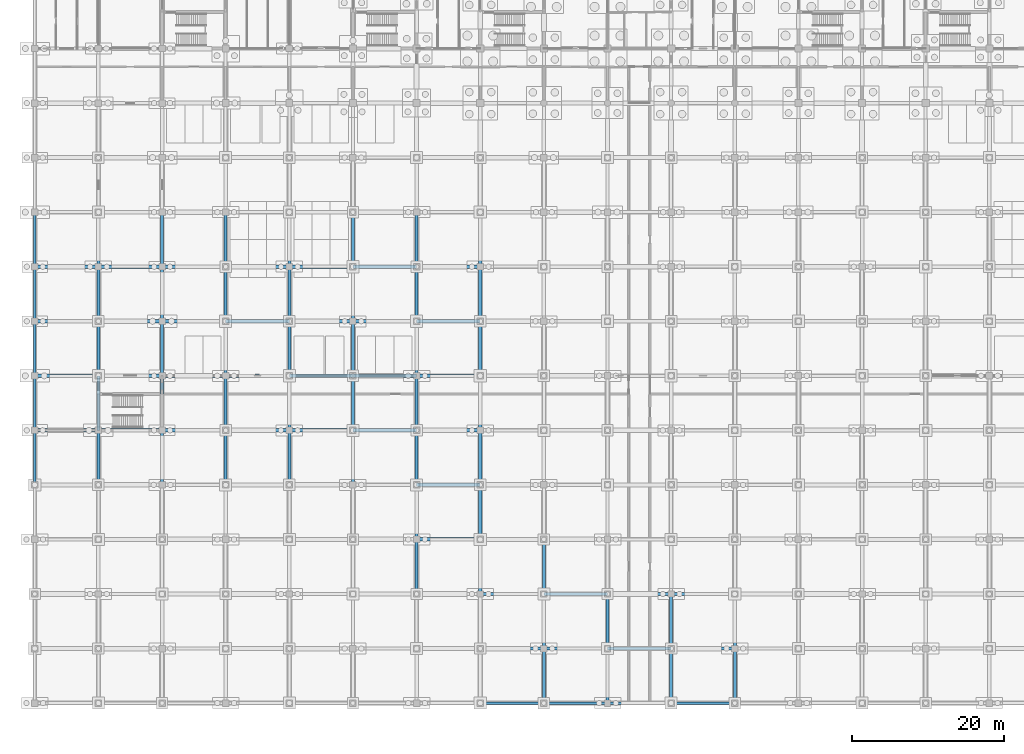
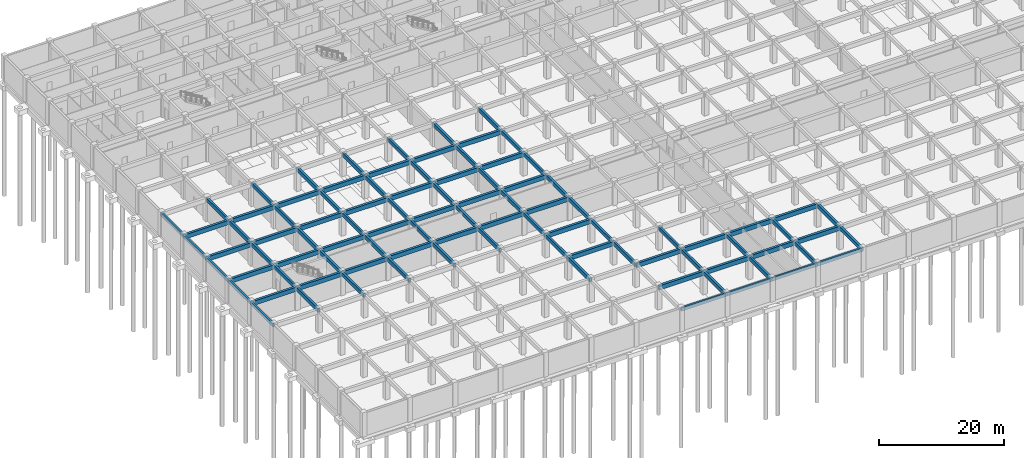
# One storey, part 19 of 85: 95 beams.
"""IFC4 building model written with IfcOpenShell, lengths in metres."""

from ifc_helpers import new_model, si_unit, direction, frame, origin, origin_2d, place, context, subcontext, project, spatial, rectangle, extrude, material, material_profile, profile_set, type_object, element, save


model = new_model("IFC4")

# Units and contexts
model_context = context("Model", 3, precision=1e-05, world=origin(), true_north=direction((0.0, 1.0)))
body_context = subcontext(model_context, "Body", "Model", "MODEL_VIEW")
ifc_project = project(units=[si_unit("LENGTHUNIT", "METRE"), si_unit("AREAUNIT", "SQUARE_METRE"), si_unit("VOLUMEUNIT", "CUBIC_METRE"), si_unit("PLANEANGLEUNIT", "RADIAN"), si_unit("MASSUNIT", "GRAM", prefix="KILO")], contexts=[model_context])

# Site, building, storey
site_placement = place(None, origin())
site = spatial("IfcSite", under=ifc_project, at=site_placement, CompositionType="ELEMENT")
building_placement = place(site_placement, origin())
building = spatial("IfcBuilding", under=site, at=building_placement, Name="Chengyuan Square Courthouse", CompositionType="ELEMENT")
storey_placement = place(building_placement, frame((0.0, 0.0, -10.199951171875)))
storey = spatial("IfcBuildingStorey", under=building, at=storey_placement, Name="B02", CompositionType="ELEMENT", Elevation=-10.199951171875)

# Beams
ifc_material = material(Name="Concrete C40", Category="concrete")
ifc_material_profile_1 = material_profile(ifc_material, rectangle(XDim=0.449951171875, YDim=0.85009765625, at=origin_2d()), Name="RC-BM-450x850")
ifc_profile_set_1 = profile_set([ifc_material_profile_1], Name="Concrete C40")
beam_type_1 = type_object("IfcBeamType", Name="BM-01", PredefinedType="USERDEFINED", material=ifc_profile_set_1)
beam_1_placement = place(storey_placement, frame((58.800048828125, 7.199951171875, 4.054931640625), z_axis=(1.0, 0.0, 0.0), x_axis=(0.0, 1.0, 0.0)))
element("IfcBeam", 1, at=beam_1_placement, inside=storey, type_object=beam_type_1, Name="Girder BM-B02-0028", ObjectType="GIRDER", PredefinedType="USERDEFINED", context=body_context, shape_type="SweptSolid", body=[
    extrude(rectangle(XDim=0.449951171875, YDim=0.85009765625, at=origin_2d()), origin(), (0.0, 0.0, 1.0), 8.39990234375),
])
beam_2_placement = place(storey_placement, frame((67.199951171875, 7.199951171875, 4.054931640625), z_axis=(1.0, 0.0, 0.0), x_axis=(0.0, 1.0, 0.0)))
element("IfcBeam", 2, at=beam_2_placement, inside=storey, type_object=beam_type_1, Name="Girder BM-B02-0029", ObjectType="GIRDER", PredefinedType="USERDEFINED", context=body_context, shape_type="SweptSolid", body=[
    extrude(rectangle(XDim=0.449951171875, YDim=0.85009765625, at=origin_2d()), origin(), (0.0, 0.0, 1.0), 8.400146484375),
])
for number, where, z_axis, x_axis, name in (
    (3, (75.60009765625, 7.199951171875, 4.054931640625), (1.0, 0.0, 0.0), (0.0, 1.0, 0.0), "Girder BM-B02-0030"),
    (4, (84.0, 7.199951171875, 4.054931640625), (1.0, 0.0, 0.0), (0.0, 1.0, 0.0), "Girder BM-B02-0031"),
    (5, (58.800048828125, 14.39990234375, 4.054931640625), (1.0, 0.0, 0.0), (0.0, 1.0, 0.0), "Girder BM-B02-0048"),
):
    element("IfcBeam", number, at=place(storey_placement, frame(where, z_axis=z_axis, x_axis=x_axis)), inside=storey, type_object=beam_type_1, Name=name, ObjectType="GIRDER", PredefinedType="USERDEFINED", context=body_context, shape_type="SweptSolid", body=[
        extrude(rectangle(XDim=0.449951171875, YDim=0.85009765625, at=origin_2d()), origin(), (0.0, 0.0, 1.0), 8.39990234375),
    ])
beam_3_placement = place(storey_placement, frame((67.199951171875, 14.39990234375, 4.054931640625), z_axis=(1.0, 0.0, 0.0), x_axis=(0.0, 1.0, 0.0)))
element("IfcBeam", 6, at=beam_3_placement, inside=storey, type_object=beam_type_1, Name="Girder BM-B02-0049", ObjectType="GIRDER", PredefinedType="USERDEFINED", context=body_context, shape_type="SweptSolid", body=[
    extrude(rectangle(XDim=0.449951171875, YDim=0.85009765625, at=origin_2d()), origin(), (0.0, 0.0, 1.0), 8.400146484375),
])
for number, where, z_axis, x_axis, name in (
    (7, (75.60009765625, 14.39990234375, 4.054931640625), (1.0, 0.0, 0.0), (0.0, 1.0, 0.0), "Girder BM-B02-0050"),
    (8, (84.0, 14.39990234375, 4.054931640625), (1.0, 0.0, 0.0), (0.0, 1.0, 0.0), "Girder BM-B02-0051"),
):
    element("IfcBeam", number, at=place(storey_placement, frame(where, z_axis=z_axis, x_axis=x_axis)), inside=storey, type_object=beam_type_1, Name=name, ObjectType="GIRDER", PredefinedType="USERDEFINED", context=body_context, shape_type="SweptSolid", body=[
        extrude(rectangle(XDim=0.449951171875, YDim=0.85009765625, at=origin_2d()), origin(), (0.0, 0.0, 1.0), 8.39990234375),
    ])
for number, where, z_axis, x_axis, name in (
    (9, (50.39990234375, 21.60009765625, 4.054931640625), (1.0, 0.0, 0.0), (0.0, 1.0, 0.0), "Girder BM-B02-0067"),
    (10, (50.39990234375, 28.800048828125, 4.054931640625), (1.0, 0.0, 0.0), (0.0, 1.0, 0.0), "Girder BM-B02-0087"),
):
    element("IfcBeam", number, at=place(storey_placement, frame(where, z_axis=z_axis, x_axis=x_axis)), inside=storey, type_object=beam_type_1, Name=name, ObjectType="GIRDER", PredefinedType="USERDEFINED", context=body_context, shape_type="SweptSolid", body=[
        extrude(rectangle(XDim=0.449951171875, YDim=0.85009765625, at=origin_2d()), origin(), (0.0, 0.0, 1.0), 8.400146484375),
    ])
beam_4_placement = place(storey_placement, frame((0.0, 36.0, 4.054931640625), z_axis=(1.0, 0.0, 0.0), x_axis=(0.0, 1.0, 0.0)))
element("IfcBeam", 11, at=beam_4_placement, inside=storey, type_object=beam_type_1, Name="Girder BM-B02-0101", ObjectType="GIRDER", PredefinedType="USERDEFINED", context=body_context, shape_type="SweptSolid", body=[
    extrude(rectangle(XDim=0.449951171875, YDim=0.85009765625, at=origin_2d()), origin(), (0.0, 0.0, 1.0), 8.39990234375),
])
beam_5_placement = place(storey_placement, frame((8.39990234375, 36.0, 4.054931640625), z_axis=(1.0, 0.0, 0.0), x_axis=(0.0, 1.0, 0.0)))
element("IfcBeam", 12, at=beam_5_placement, inside=storey, type_object=beam_type_1, Name="Girder BM-B02-0102", ObjectType="GIRDER", PredefinedType="USERDEFINED", context=body_context, shape_type="SweptSolid", body=[
    extrude(rectangle(XDim=0.449951171875, YDim=0.85009765625, at=origin_2d()), origin(), (0.0, 0.0, 1.0), 8.400146484375),
])
beam_6_placement = place(storey_placement, frame((16.800048828125, 36.0, 4.054931640625), z_axis=(1.0, 0.0, 0.0), x_axis=(0.0, 1.0, 0.0)))
element("IfcBeam", 13, at=beam_6_placement, inside=storey, type_object=beam_type_1, Name="Girder BM-B02-0103", ObjectType="GIRDER", PredefinedType="USERDEFINED", context=body_context, shape_type="SweptSolid", body=[
    extrude(rectangle(XDim=0.449951171875, YDim=0.85009765625, at=origin_2d()), origin(), (0.0, 0.0, 1.0), 8.39990234375),
])
beam_7_placement = place(storey_placement, frame((25.199951171875, 36.0, 4.054931640625), z_axis=(1.0, 0.0, 0.0), x_axis=(0.0, 1.0, 0.0)))
element("IfcBeam", 14, at=beam_7_placement, inside=storey, type_object=beam_type_1, Name="Girder BM-B02-0104", ObjectType="GIRDER", PredefinedType="USERDEFINED", context=body_context, shape_type="SweptSolid", body=[
    extrude(rectangle(XDim=0.449951171875, YDim=0.85009765625, at=origin_2d()), origin(), (0.0, 0.0, 1.0), 8.400146484375),
])
for number, where, z_axis, x_axis, name in (
    (15, (33.60009765625, 36.0, 4.054931640625), (1.0, 0.0, 0.0), (0.0, 1.0, 0.0), "Girder BM-B02-0105"),
    (16, (42.0, 36.0, 4.054931640625), (1.0, 0.0, 0.0), (0.0, 1.0, 0.0), "Girder BM-B02-0106"),
):
    element("IfcBeam", number, at=place(storey_placement, frame(where, z_axis=z_axis, x_axis=x_axis)), inside=storey, type_object=beam_type_1, Name=name, ObjectType="GIRDER", PredefinedType="USERDEFINED", context=body_context, shape_type="SweptSolid", body=[
        extrude(rectangle(XDim=0.449951171875, YDim=0.85009765625, at=origin_2d()), origin(), (0.0, 0.0, 1.0), 8.39990234375),
    ])
beam_8_placement = place(storey_placement, frame((50.39990234375, 36.0, 4.054931640625), z_axis=(1.0, 0.0, 0.0), x_axis=(0.0, 1.0, 0.0)))
element("IfcBeam", 17, at=beam_8_placement, inside=storey, type_object=beam_type_1, Name="Girder BM-B02-0107", ObjectType="GIRDER", PredefinedType="USERDEFINED", context=body_context, shape_type="SweptSolid", body=[
    extrude(rectangle(XDim=0.449951171875, YDim=0.85009765625, at=origin_2d()), origin(), (0.0, 0.0, 1.0), 8.400146484375),
])
beam_9_placement = place(storey_placement, frame((0.0, 43.199951171875, 4.054931640625), z_axis=(1.0, 0.0, 0.0), x_axis=(0.0, 1.0, 0.0)))
element("IfcBeam", 18, at=beam_9_placement, inside=storey, type_object=beam_type_1, Name="Girder BM-B02-0121", ObjectType="GIRDER", PredefinedType="USERDEFINED", context=body_context, shape_type="SweptSolid", body=[
    extrude(rectangle(XDim=0.449951171875, YDim=0.85009765625, at=origin_2d()), origin(), (0.0, 0.0, 1.0), 8.39990234375),
])
beam_10_placement = place(storey_placement, frame((8.39990234375, 43.199951171875, 4.054931640625), z_axis=(1.0, 0.0, 0.0), x_axis=(0.0, 1.0, 0.0)))
element("IfcBeam", 19, at=beam_10_placement, inside=storey, type_object=beam_type_1, Name="Girder BM-B02-0122", ObjectType="GIRDER", PredefinedType="USERDEFINED", context=body_context, shape_type="SweptSolid", body=[
    extrude(rectangle(XDim=0.449951171875, YDim=0.85009765625, at=origin_2d()), origin(), (0.0, 0.0, 1.0), 8.400146484375),
])
beam_11_placement = place(storey_placement, frame((16.800048828125, 43.199951171875, 4.054931640625), z_axis=(1.0, 0.0, 0.0), x_axis=(0.0, 1.0, 0.0)))
element("IfcBeam", 20, at=beam_11_placement, inside=storey, type_object=beam_type_1, Name="Girder BM-B02-0123", ObjectType="GIRDER", PredefinedType="USERDEFINED", context=body_context, shape_type="SweptSolid", body=[
    extrude(rectangle(XDim=0.449951171875, YDim=0.85009765625, at=origin_2d()), origin(), (0.0, 0.0, 1.0), 8.39990234375),
])
beam_12_placement = place(storey_placement, frame((25.199951171875, 43.199951171875, 4.054931640625), z_axis=(1.0, 0.0, 0.0), x_axis=(0.0, 1.0, 0.0)))
element("IfcBeam", 21, at=beam_12_placement, inside=storey, type_object=beam_type_1, Name="Girder BM-B02-0124", ObjectType="GIRDER", PredefinedType="USERDEFINED", context=body_context, shape_type="SweptSolid", body=[
    extrude(rectangle(XDim=0.449951171875, YDim=0.85009765625, at=origin_2d()), origin(), (0.0, 0.0, 1.0), 8.400146484375),
])
for number, where, z_axis, x_axis, name in (
    (22, (33.60009765625, 43.199951171875, 4.054931640625), (1.0, 0.0, 0.0), (0.0, 1.0, 0.0), "Girder BM-B02-0125"),
    (23, (42.0, 43.199951171875, 4.054931640625), (1.0, 0.0, 0.0), (0.0, 1.0, 0.0), "Girder BM-B02-0126"),
):
    element("IfcBeam", number, at=place(storey_placement, frame(where, z_axis=z_axis, x_axis=x_axis)), inside=storey, type_object=beam_type_1, Name=name, ObjectType="GIRDER", PredefinedType="USERDEFINED", context=body_context, shape_type="SweptSolid", body=[
        extrude(rectangle(XDim=0.449951171875, YDim=0.85009765625, at=origin_2d()), origin(), (0.0, 0.0, 1.0), 8.39990234375),
    ])
beam_13_placement = place(storey_placement, frame((50.39990234375, 43.199951171875, 4.054931640625), z_axis=(1.0, 0.0, 0.0), x_axis=(0.0, 1.0, 0.0)))
element("IfcBeam", 24, at=beam_13_placement, inside=storey, type_object=beam_type_1, Name="Girder BM-B02-0127", ObjectType="GIRDER", PredefinedType="USERDEFINED", context=body_context, shape_type="SweptSolid", body=[
    extrude(rectangle(XDim=0.449951171875, YDim=0.85009765625, at=origin_2d()), origin(), (0.0, 0.0, 1.0), 8.400146484375),
])
beam_14_placement = place(storey_placement, frame((0.0, 50.39990234375, 4.054931640625), z_axis=(1.0, 0.0, 0.0), x_axis=(0.0, 1.0, 0.0)))
element("IfcBeam", 25, at=beam_14_placement, inside=storey, type_object=beam_type_1, Name="Girder BM-B02-0141", ObjectType="GIRDER", PredefinedType="USERDEFINED", context=body_context, shape_type="SweptSolid", body=[
    extrude(rectangle(XDim=0.449951171875, YDim=0.85009765625, at=origin_2d()), origin(), (0.0, 0.0, 1.0), 8.39990234375),
])
beam_15_placement = place(storey_placement, frame((8.39990234375, 50.39990234375, 4.054931640625), z_axis=(1.0, 0.0, 0.0), x_axis=(0.0, 1.0, 0.0)))
element("IfcBeam", 26, at=beam_15_placement, inside=storey, type_object=beam_type_1, Name="Girder BM-B02-0142", ObjectType="GIRDER", PredefinedType="USERDEFINED", context=body_context, shape_type="SweptSolid", body=[
    extrude(rectangle(XDim=0.449951171875, YDim=0.85009765625, at=origin_2d()), origin(), (0.0, 0.0, 1.0), 8.400146484375),
])
beam_16_placement = place(storey_placement, frame((16.800048828125, 50.39990234375, 4.054931640625), z_axis=(1.0, 0.0, 0.0), x_axis=(0.0, 1.0, 0.0)))
element("IfcBeam", 27, at=beam_16_placement, inside=storey, type_object=beam_type_1, Name="Girder BM-B02-0143", ObjectType="GIRDER", PredefinedType="USERDEFINED", context=body_context, shape_type="SweptSolid", body=[
    extrude(rectangle(XDim=0.449951171875, YDim=0.85009765625, at=origin_2d()), origin(), (0.0, 0.0, 1.0), 8.39990234375),
])
beam_17_placement = place(storey_placement, frame((25.199951171875, 50.39990234375, 4.054931640625), z_axis=(1.0, 0.0, 0.0), x_axis=(0.0, 1.0, 0.0)))
element("IfcBeam", 28, at=beam_17_placement, inside=storey, type_object=beam_type_1, Name="Girder BM-B02-0144", ObjectType="GIRDER", PredefinedType="USERDEFINED", context=body_context, shape_type="SweptSolid", body=[
    extrude(rectangle(XDim=0.449951171875, YDim=0.85009765625, at=origin_2d()), origin(), (0.0, 0.0, 1.0), 8.400146484375),
])
for number, where, z_axis, x_axis, name in (
    (29, (33.60009765625, 50.39990234375, 4.054931640625), (1.0, 0.0, 0.0), (0.0, 1.0, 0.0), "Girder BM-B02-0145"),
    (30, (42.0, 50.39990234375, 4.054931640625), (1.0, 0.0, 0.0), (0.0, 1.0, 0.0), "Girder BM-B02-0146"),
):
    element("IfcBeam", number, at=place(storey_placement, frame(where, z_axis=z_axis, x_axis=x_axis)), inside=storey, type_object=beam_type_1, Name=name, ObjectType="GIRDER", PredefinedType="USERDEFINED", context=body_context, shape_type="SweptSolid", body=[
        extrude(rectangle(XDim=0.449951171875, YDim=0.85009765625, at=origin_2d()), origin(), (0.0, 0.0, 1.0), 8.39990234375),
    ])
beam_18_placement = place(storey_placement, frame((50.39990234375, 50.39990234375, 4.054931640625), z_axis=(1.0, 0.0, 0.0), x_axis=(0.0, 1.0, 0.0)))
element("IfcBeam", 31, at=beam_18_placement, inside=storey, type_object=beam_type_1, Name="Girder BM-B02-0147", ObjectType="GIRDER", PredefinedType="USERDEFINED", context=body_context, shape_type="SweptSolid", body=[
    extrude(rectangle(XDim=0.449951171875, YDim=0.85009765625, at=origin_2d()), origin(), (0.0, 0.0, 1.0), 8.400146484375),
])
beam_19_placement = place(storey_placement, frame((0.0, 57.60009765625, 4.054931640625), z_axis=(1.0, 0.0, 0.0), x_axis=(0.0, 1.0, 0.0)))
element("IfcBeam", 32, at=beam_19_placement, inside=storey, type_object=beam_type_1, Name="Girder BM-B02-0161", ObjectType="GIRDER", PredefinedType="USERDEFINED", context=body_context, shape_type="SweptSolid", body=[
    extrude(rectangle(XDim=0.449951171875, YDim=0.85009765625, at=origin_2d()), origin(), (0.0, 0.0, 1.0), 8.39990234375),
])
beam_20_placement = place(storey_placement, frame((8.39990234375, 57.60009765625, 4.054931640625), z_axis=(1.0, 0.0, 0.0), x_axis=(0.0, 1.0, 0.0)))
element("IfcBeam", 33, at=beam_20_placement, inside=storey, type_object=beam_type_1, Name="Girder BM-B02-0162", ObjectType="GIRDER", PredefinedType="USERDEFINED", context=body_context, shape_type="SweptSolid", body=[
    extrude(rectangle(XDim=0.449951171875, YDim=0.85009765625, at=origin_2d()), origin(), (0.0, 0.0, 1.0), 8.400146484375),
])
beam_21_placement = place(storey_placement, frame((16.800048828125, 57.60009765625, 4.054931640625), z_axis=(1.0, 0.0, 0.0), x_axis=(0.0, 1.0, 0.0)))
element("IfcBeam", 34, at=beam_21_placement, inside=storey, type_object=beam_type_1, Name="Girder BM-B02-0163", ObjectType="GIRDER", PredefinedType="USERDEFINED", context=body_context, shape_type="SweptSolid", body=[
    extrude(rectangle(XDim=0.449951171875, YDim=0.85009765625, at=origin_2d()), origin(), (0.0, 0.0, 1.0), 8.39990234375),
])
beam_22_placement = place(storey_placement, frame((25.199951171875, 57.60009765625, 4.054931640625), z_axis=(1.0, 0.0, 0.0), x_axis=(0.0, 1.0, 0.0)))
element("IfcBeam", 35, at=beam_22_placement, inside=storey, type_object=beam_type_1, Name="Girder BM-B02-0164", ObjectType="GIRDER", PredefinedType="USERDEFINED", context=body_context, shape_type="SweptSolid", body=[
    extrude(rectangle(XDim=0.449951171875, YDim=0.85009765625, at=origin_2d()), origin(), (0.0, 0.0, 1.0), 8.400146484375),
])
for number, where, z_axis, x_axis, name in (
    (36, (33.60009765625, 57.60009765625, 4.054931640625), (1.0, 0.0, 0.0), (0.0, 1.0, 0.0), "Girder BM-B02-0165"),
    (37, (42.0, 57.60009765625, 4.054931640625), (1.0, 0.0, 0.0), (0.0, 1.0, 0.0), "Girder BM-B02-0166"),
):
    element("IfcBeam", number, at=place(storey_placement, frame(where, z_axis=z_axis, x_axis=x_axis)), inside=storey, type_object=beam_type_1, Name=name, ObjectType="GIRDER", PredefinedType="USERDEFINED", context=body_context, shape_type="SweptSolid", body=[
        extrude(rectangle(XDim=0.449951171875, YDim=0.85009765625, at=origin_2d()), origin(), (0.0, 0.0, 1.0), 8.39990234375),
    ])
beam_23_placement = place(storey_placement, frame((50.39990234375, 57.60009765625, 4.054931640625), z_axis=(1.0, 0.0, 0.0), x_axis=(0.0, 1.0, 0.0)))
element("IfcBeam", 38, at=beam_23_placement, inside=storey, type_object=beam_type_1, Name="Girder BM-B02-0167", ObjectType="GIRDER", PredefinedType="USERDEFINED", context=body_context, shape_type="SweptSolid", body=[
    extrude(rectangle(XDim=0.449951171875, YDim=0.85009765625, at=origin_2d()), origin(), (0.0, 0.0, 1.0), 8.400146484375),
])
ifc_material_profile_2 = material_profile(ifc_material, rectangle(XDim=0.39990234375, YDim=0.75, at=origin_2d()), Name="RC-BM-400x750")
ifc_profile_set_2 = profile_set([ifc_material_profile_2], Name="Concrete C40")
beam_type_2 = type_object("IfcBeamType", Name="BM-02", PredefinedType="USERDEFINED", material=ifc_profile_set_2)
for number, where, z_axis, x_axis, name in (
    (39, (8.39990234375, 28.800048828125, 4.10498046875), (0.0, 1.0, 0.0), (-1.0, 0.0, 0.0), "Girder BM-B02-0356"),
    (40, (8.39990234375, 36.0, 4.10498046875), (0.0, 1.0, 0.0), (-1.0, 0.0, 0.0), "Girder BM-B02-0357"),
    (41, (8.39990234375, 43.199951171875, 4.10498046875), (0.0, 1.0, 0.0), (-1.0, 0.0, 0.0), "Girder BM-B02-0358"),
):
    element("IfcBeam", number, at=place(storey_placement, frame(where, z_axis=z_axis, x_axis=x_axis)), inside=storey, type_object=beam_type_2, Name=name, ObjectType="GIRDER", PredefinedType="USERDEFINED", context=body_context, shape_type="SweptSolid", body=[
        extrude(rectangle(XDim=0.39990234375, YDim=0.75, at=origin_2d()), origin(), (0.0, 0.0, 1.0), 7.199951171875),
    ])
beam_24_placement = place(storey_placement, frame((8.39990234375, 50.39990234375, 4.10498046875), z_axis=(0.0, 1.0, 0.0), x_axis=(-1.0, 0.0, 0.0)))
element("IfcBeam", 42, at=beam_24_placement, inside=storey, type_object=beam_type_2, Name="Girder BM-B02-0359", ObjectType="GIRDER", PredefinedType="USERDEFINED", context=body_context, shape_type="SweptSolid", body=[
    extrude(rectangle(XDim=0.39990234375, YDim=0.75, at=origin_2d()), origin(), (0.0, 0.0, 1.0), 7.2001953125),
])
for number, where, z_axis, x_axis, name in (
    (43, (8.39990234375, 57.60009765625, 4.10498046875), (0.0, 1.0, 0.0), (-1.0, 0.0, 0.0), "Girder BM-B02-0360"),
    (44, (16.800048828125, 28.800048828125, 4.10498046875), (0.0, 1.0, 0.0), (-1.0, 0.0, 0.0), "Girder BM-B02-0372"),
    (45, (16.800048828125, 36.0, 4.10498046875), (0.0, 1.0, 0.0), (-1.0, 0.0, 0.0), "Girder BM-B02-0373"),
    (46, (16.800048828125, 43.199951171875, 4.10498046875), (0.0, 1.0, 0.0), (-1.0, 0.0, 0.0), "Girder BM-B02-0374"),
):
    element("IfcBeam", number, at=place(storey_placement, frame(where, z_axis=z_axis, x_axis=x_axis)), inside=storey, type_object=beam_type_2, Name=name, ObjectType="GIRDER", PredefinedType="USERDEFINED", context=body_context, shape_type="SweptSolid", body=[
        extrude(rectangle(XDim=0.39990234375, YDim=0.75, at=origin_2d()), origin(), (0.0, 0.0, 1.0), 7.199951171875),
    ])
beam_25_placement = place(storey_placement, frame((16.800048828125, 50.39990234375, 4.10498046875), z_axis=(0.0, 1.0, 0.0), x_axis=(-1.0, 0.0, 0.0)))
element("IfcBeam", 47, at=beam_25_placement, inside=storey, type_object=beam_type_2, Name="Girder BM-B02-0375", ObjectType="GIRDER", PredefinedType="USERDEFINED", context=body_context, shape_type="SweptSolid", body=[
    extrude(rectangle(XDim=0.39990234375, YDim=0.75, at=origin_2d()), origin(), (0.0, 0.0, 1.0), 7.2001953125),
])
for number, where, z_axis, x_axis, name in (
    (48, (16.800048828125, 57.60009765625, 4.10498046875), (0.0, 1.0, 0.0), (-1.0, 0.0, 0.0), "Girder BM-B02-0376"),
    (49, (25.199951171875, 28.800048828125, 4.10498046875), (0.0, 1.0, 0.0), (-1.0, 0.0, 0.0), "Girder BM-B02-0388"),
    (50, (25.199951171875, 36.0, 4.10498046875), (0.0, 1.0, 0.0), (-1.0, 0.0, 0.0), "Girder BM-B02-0389"),
    (51, (25.199951171875, 43.199951171875, 4.10498046875), (0.0, 1.0, 0.0), (-1.0, 0.0, 0.0), "Girder BM-B02-0390"),
):
    element("IfcBeam", number, at=place(storey_placement, frame(where, z_axis=z_axis, x_axis=x_axis)), inside=storey, type_object=beam_type_2, Name=name, ObjectType="GIRDER", PredefinedType="USERDEFINED", context=body_context, shape_type="SweptSolid", body=[
        extrude(rectangle(XDim=0.39990234375, YDim=0.75, at=origin_2d()), origin(), (0.0, 0.0, 1.0), 7.199951171875),
    ])
beam_26_placement = place(storey_placement, frame((25.199951171875, 50.39990234375, 4.10498046875), z_axis=(0.0, 1.0, 0.0), x_axis=(-1.0, 0.0, 0.0)))
element("IfcBeam", 52, at=beam_26_placement, inside=storey, type_object=beam_type_2, Name="Girder BM-B02-0391", ObjectType="GIRDER", PredefinedType="USERDEFINED", context=body_context, shape_type="SweptSolid", body=[
    extrude(rectangle(XDim=0.39990234375, YDim=0.75, at=origin_2d()), origin(), (0.0, 0.0, 1.0), 7.2001953125),
])
for number, where, z_axis, x_axis, name in (
    (53, (25.199951171875, 57.60009765625, 4.10498046875), (0.0, 1.0, 0.0), (-1.0, 0.0, 0.0), "Girder BM-B02-0392"),
    (54, (33.60009765625, 28.800048828125, 4.10498046875), (0.0, 1.0, 0.0), (-1.0, 0.0, 0.0), "Girder BM-B02-0404"),
    (55, (33.60009765625, 36.0, 4.10498046875), (0.0, 1.0, 0.0), (-1.0, 0.0, 0.0), "Girder BM-B02-0405"),
    (56, (33.60009765625, 43.199951171875, 4.10498046875), (0.0, 1.0, 0.0), (-1.0, 0.0, 0.0), "Girder BM-B02-0406"),
):
    element("IfcBeam", number, at=place(storey_placement, frame(where, z_axis=z_axis, x_axis=x_axis)), inside=storey, type_object=beam_type_2, Name=name, ObjectType="GIRDER", PredefinedType="USERDEFINED", context=body_context, shape_type="SweptSolid", body=[
        extrude(rectangle(XDim=0.39990234375, YDim=0.75, at=origin_2d()), origin(), (0.0, 0.0, 1.0), 7.199951171875),
    ])
beam_27_placement = place(storey_placement, frame((33.60009765625, 50.39990234375, 4.10498046875), z_axis=(0.0, 1.0, 0.0), x_axis=(-1.0, 0.0, 0.0)))
element("IfcBeam", 57, at=beam_27_placement, inside=storey, type_object=beam_type_2, Name="Girder BM-B02-0407", ObjectType="GIRDER", PredefinedType="USERDEFINED", context=body_context, shape_type="SweptSolid", body=[
    extrude(rectangle(XDim=0.39990234375, YDim=0.75, at=origin_2d()), origin(), (0.0, 0.0, 1.0), 7.2001953125),
])
for number, where, z_axis, x_axis, name in (
    (58, (33.60009765625, 57.60009765625, 4.10498046875), (0.0, 1.0, 0.0), (-1.0, 0.0, 0.0), "Girder BM-B02-0408"),
    (59, (42.0, 28.800048828125, 4.10498046875), (0.0, 1.0, 0.0), (-1.0, 0.0, 0.0), "Girder BM-B02-0420"),
    (60, (42.0, 36.0, 4.10498046875), (0.0, 1.0, 0.0), (-1.0, 0.0, 0.0), "Girder BM-B02-0421"),
    (61, (42.0, 43.199951171875, 4.10498046875), (0.0, 1.0, 0.0), (-1.0, 0.0, 0.0), "Girder BM-B02-0422"),
):
    element("IfcBeam", number, at=place(storey_placement, frame(where, z_axis=z_axis, x_axis=x_axis)), inside=storey, type_object=beam_type_2, Name=name, ObjectType="GIRDER", PredefinedType="USERDEFINED", context=body_context, shape_type="SweptSolid", body=[
        extrude(rectangle(XDim=0.39990234375, YDim=0.75, at=origin_2d()), origin(), (0.0, 0.0, 1.0), 7.199951171875),
    ])
beam_28_placement = place(storey_placement, frame((42.0, 50.39990234375, 4.10498046875), z_axis=(0.0, 1.0, 0.0), x_axis=(-1.0, 0.0, 0.0)))
element("IfcBeam", 62, at=beam_28_placement, inside=storey, type_object=beam_type_2, Name="Girder BM-B02-0423", ObjectType="GIRDER", PredefinedType="USERDEFINED", context=body_context, shape_type="SweptSolid", body=[
    extrude(rectangle(XDim=0.39990234375, YDim=0.75, at=origin_2d()), origin(), (0.0, 0.0, 1.0), 7.2001953125),
])
beam_29_placement = place(storey_placement, frame((42.0, 57.60009765625, 4.10498046875), z_axis=(0.0, 1.0, 0.0), x_axis=(-1.0, 0.0, 0.0)))
element("IfcBeam", 63, at=beam_29_placement, inside=storey, type_object=beam_type_2, Name="Girder BM-B02-0424", ObjectType="GIRDER", PredefinedType="USERDEFINED", context=body_context, shape_type="SweptSolid", body=[
    extrude(rectangle(XDim=0.39990234375, YDim=0.75, at=origin_2d()), origin(), (0.0, 0.0, 1.0), 7.199951171875),
])
beam_30_placement = place(storey_placement, frame((50.39990234375, 14.39990234375, 4.10498046875), z_axis=(0.0, 1.0, 0.0), x_axis=(-1.0, 0.0, 0.0)))
element("IfcBeam", 64, at=beam_30_placement, inside=storey, type_object=beam_type_2, Name="Girder BM-B02-0434", ObjectType="GIRDER", PredefinedType="USERDEFINED", context=body_context, shape_type="SweptSolid", body=[
    extrude(rectangle(XDim=0.39990234375, YDim=0.75, at=origin_2d()), origin(), (0.0, 0.0, 1.0), 7.2001953125),
])
for number, where, z_axis, x_axis, name in (
    (65, (50.39990234375, 21.60009765625, 4.10498046875), (0.0, 1.0, 0.0), (-1.0, 0.0, 0.0), "Girder BM-B02-0435"),
    (66, (50.39990234375, 28.800048828125, 4.10498046875), (0.0, 1.0, 0.0), (-1.0, 0.0, 0.0), "Girder BM-B02-0436"),
    (67, (50.39990234375, 36.0, 4.10498046875), (0.0, 1.0, 0.0), (-1.0, 0.0, 0.0), "Girder BM-B02-0437"),
    (68, (50.39990234375, 43.199951171875, 4.10498046875), (0.0, 1.0, 0.0), (-1.0, 0.0, 0.0), "Girder BM-B02-0438"),
):
    element("IfcBeam", number, at=place(storey_placement, frame(where, z_axis=z_axis, x_axis=x_axis)), inside=storey, type_object=beam_type_2, Name=name, ObjectType="GIRDER", PredefinedType="USERDEFINED", context=body_context, shape_type="SweptSolid", body=[
        extrude(rectangle(XDim=0.39990234375, YDim=0.75, at=origin_2d()), origin(), (0.0, 0.0, 1.0), 7.199951171875),
    ])
beam_31_placement = place(storey_placement, frame((50.39990234375, 50.39990234375, 4.10498046875), z_axis=(0.0, 1.0, 0.0), x_axis=(-1.0, 0.0, 0.0)))
element("IfcBeam", 69, at=beam_31_placement, inside=storey, type_object=beam_type_2, Name="Girder BM-B02-0439", ObjectType="GIRDER", PredefinedType="USERDEFINED", context=body_context, shape_type="SweptSolid", body=[
    extrude(rectangle(XDim=0.39990234375, YDim=0.75, at=origin_2d()), origin(), (0.0, 0.0, 1.0), 7.2001953125),
])
beam_32_placement = place(storey_placement, frame((50.39990234375, 57.60009765625, 4.10498046875), z_axis=(0.0, 1.0, 0.0), x_axis=(-1.0, 0.0, 0.0)))
element("IfcBeam", 70, at=beam_32_placement, inside=storey, type_object=beam_type_2, Name="Girder BM-B02-0440", ObjectType="GIRDER", PredefinedType="USERDEFINED", context=body_context, shape_type="SweptSolid", body=[
    extrude(rectangle(XDim=0.39990234375, YDim=0.75, at=origin_2d()), origin(), (0.0, 0.0, 1.0), 7.199951171875),
])
beam_33_placement = place(storey_placement, frame((58.800048828125, 14.39990234375, 4.10498046875), z_axis=(0.0, 1.0, 0.0), x_axis=(-1.0, 0.0, 0.0)))
element("IfcBeam", 71, at=beam_33_placement, inside=storey, type_object=beam_type_2, Name="Girder BM-B02-0450", ObjectType="GIRDER", PredefinedType="USERDEFINED", context=body_context, shape_type="SweptSolid", body=[
    extrude(rectangle(XDim=0.39990234375, YDim=0.75, at=origin_2d()), origin(), (0.0, 0.0, 1.0), 7.2001953125),
])
for number, where, z_axis, x_axis, name in (
    (72, (58.800048828125, 21.60009765625, 4.10498046875), (0.0, 1.0, 0.0), (-1.0, 0.0, 0.0), "Girder BM-B02-0451"),
    (73, (58.800048828125, 28.800048828125, 4.10498046875), (0.0, 1.0, 0.0), (-1.0, 0.0, 0.0), "Girder BM-B02-0452"),
    (74, (58.800048828125, 36.0, 4.10498046875), (0.0, 1.0, 0.0), (-1.0, 0.0, 0.0), "Girder BM-B02-0453"),
    (75, (58.800048828125, 43.199951171875, 4.10498046875), (0.0, 1.0, 0.0), (-1.0, 0.0, 0.0), "Girder BM-B02-0454"),
):
    element("IfcBeam", number, at=place(storey_placement, frame(where, z_axis=z_axis, x_axis=x_axis)), inside=storey, type_object=beam_type_2, Name=name, ObjectType="GIRDER", PredefinedType="USERDEFINED", context=body_context, shape_type="SweptSolid", body=[
        extrude(rectangle(XDim=0.39990234375, YDim=0.75, at=origin_2d()), origin(), (0.0, 0.0, 1.0), 7.199951171875),
    ])
beam_34_placement = place(storey_placement, frame((58.800048828125, 50.39990234375, 4.10498046875), z_axis=(0.0, 1.0, 0.0), x_axis=(-1.0, 0.0, 0.0)))
element("IfcBeam", 76, at=beam_34_placement, inside=storey, type_object=beam_type_2, Name="Girder BM-B02-0455", ObjectType="GIRDER", PredefinedType="USERDEFINED", context=body_context, shape_type="SweptSolid", body=[
    extrude(rectangle(XDim=0.39990234375, YDim=0.75, at=origin_2d()), origin(), (0.0, 0.0, 1.0), 7.2001953125),
])
for number, where, z_axis, x_axis, name in (
    (77, (58.800048828125, 57.60009765625, 4.10498046875), (0.0, 1.0, 0.0), (-1.0, 0.0, 0.0), "Girder BM-B02-0456"),
    (78, (67.199951171875, 0.0, 4.10498046875), (0.0, 1.0, 0.0), (-1.0, 0.0, 0.0), "Girder BM-B02-0464"),
    (79, (67.199951171875, 7.199951171875, 4.10498046875), (0.0, 1.0, 0.0), (-1.0, 0.0, 0.0), "Girder BM-B02-0465"),
):
    element("IfcBeam", number, at=place(storey_placement, frame(where, z_axis=z_axis, x_axis=x_axis)), inside=storey, type_object=beam_type_2, Name=name, ObjectType="GIRDER", PredefinedType="USERDEFINED", context=body_context, shape_type="SweptSolid", body=[
        extrude(rectangle(XDim=0.39990234375, YDim=0.75, at=origin_2d()), origin(), (0.0, 0.0, 1.0), 7.199951171875),
    ])
beam_35_placement = place(storey_placement, frame((67.199951171875, 14.39990234375, 4.10498046875), z_axis=(0.0, 1.0, 0.0), x_axis=(-1.0, 0.0, 0.0)))
element("IfcBeam", 80, at=beam_35_placement, inside=storey, type_object=beam_type_2, Name="Girder BM-B02-0466", ObjectType="GIRDER", PredefinedType="USERDEFINED", context=body_context, shape_type="SweptSolid", body=[
    extrude(rectangle(XDim=0.39990234375, YDim=0.75, at=origin_2d()), origin(), (0.0, 0.0, 1.0), 7.2001953125),
])
for number, where, z_axis, x_axis, name in (
    (81, (75.60009765625, 0.0, 4.10498046875), (0.0, 1.0, 0.0), (-1.0, 0.0, 0.0), "Girder BM-B02-0480"),
    (82, (75.60009765625, 7.199951171875, 4.10498046875), (0.0, 1.0, 0.0), (-1.0, 0.0, 0.0), "Girder BM-B02-0481"),
    (83, (84.0, 0.0, 4.10498046875), (0.0, 1.0, 0.0), (-1.0, 0.0, 0.0), "Girder BM-B02-0496"),
    (84, (84.0, 7.199951171875, 4.10498046875), (0.0, 1.0, 0.0), (-1.0, 0.0, 0.0), "Girder BM-B02-0497"),
    (85, (92.39990234375, 0.0, 4.10498046875), (0.0, 1.0, 0.0), (-1.0, 0.0, 0.0), "Girder BM-B02-0512"),
    (86, (92.39990234375, 7.199951171875, 4.10498046875), (0.0, 1.0, 0.0), (-1.0, 0.0, 0.0), "Girder BM-B02-0513"),
):
    element("IfcBeam", number, at=place(storey_placement, frame(where, z_axis=z_axis, x_axis=x_axis)), inside=storey, type_object=beam_type_2, Name=name, ObjectType="GIRDER", PredefinedType="USERDEFINED", context=body_context, shape_type="SweptSolid", body=[
        extrude(rectangle(XDim=0.39990234375, YDim=0.75, at=origin_2d()), origin(), (0.0, 0.0, 1.0), 7.199951171875),
    ])
ifc_material_profile_3 = material_profile(ifc_material, rectangle(XDim=0.35009765625, YDim=0.64990234375, at=origin_2d()), Name="RC-BM-350x650")
ifc_profile_set_3 = profile_set([ifc_material_profile_3], Name="Concrete C40")
beam_type_3 = type_object("IfcBeamType", Name="BM-03", PredefinedType="SPANDREL", material=ifc_profile_set_3)
beam_36_placement = place(storey_placement, frame((58.800048828125, 0.0, 4.155029296875), z_axis=(1.0, 0.0, 0.0), x_axis=(0.0, 1.0, 0.0)))
element("IfcBeam", 87, at=beam_36_placement, inside=storey, type_object=beam_type_3, Name="Girder BM-B02-0008", PredefinedType="SPANDREL", context=body_context, shape_type="SweptSolid", body=[
    extrude(rectangle(XDim=0.35009765625, YDim=0.64990234375, at=origin_2d()), origin(), (0.0, 0.0, 1.0), 8.39990234375),
])
beam_37_placement = place(storey_placement, frame((67.199951171875, 0.0, 4.155029296875), z_axis=(1.0, 0.0, 0.0), x_axis=(0.0, 1.0, 0.0)))
element("IfcBeam", 88, at=beam_37_placement, inside=storey, type_object=beam_type_3, Name="Girder BM-B02-0009", PredefinedType="SPANDREL", context=body_context, shape_type="SweptSolid", body=[
    extrude(rectangle(XDim=0.35009765625, YDim=0.64990234375, at=origin_2d()), origin(), (0.0, 0.0, 1.0), 8.400146484375),
])
for number, where, z_axis, x_axis, name in (
    (89, (75.60009765625, 0.0, 4.155029296875), (1.0, 0.0, 0.0), (0.0, 1.0, 0.0), "Girder BM-B02-0010"),
    (90, (84.0, 0.0, 4.155029296875), (1.0, 0.0, 0.0), (0.0, 1.0, 0.0), "Girder BM-B02-0011"),
):
    element("IfcBeam", number, at=place(storey_placement, frame(where, z_axis=z_axis, x_axis=x_axis)), inside=storey, type_object=beam_type_3, Name=name, PredefinedType="SPANDREL", context=body_context, shape_type="SweptSolid", body=[
        extrude(rectangle(XDim=0.35009765625, YDim=0.64990234375, at=origin_2d()), origin(), (0.0, 0.0, 1.0), 8.39990234375),
    ])
for number, where, z_axis, x_axis, name in (
    (91, (0.0, 28.800048828125, 4.155029296875), (0.0, 1.0, 0.0), (-1.0, 0.0, 0.0), "Girder BM-B02-0340"),
    (92, (0.0, 36.0, 4.155029296875), (0.0, 1.0, 0.0), (-1.0, 0.0, 0.0), "Girder BM-B02-0341"),
    (93, (0.0, 43.199951171875, 4.155029296875), (0.0, 1.0, 0.0), (-1.0, 0.0, 0.0), "Girder BM-B02-0342"),
):
    element("IfcBeam", number, at=place(storey_placement, frame(where, z_axis=z_axis, x_axis=x_axis)), inside=storey, type_object=beam_type_3, Name=name, PredefinedType="SPANDREL", context=body_context, shape_type="SweptSolid", body=[
        extrude(rectangle(XDim=0.35009765625, YDim=0.64990234375, at=origin_2d()), origin(), (0.0, 0.0, 1.0), 7.199951171875),
    ])
beam_38_placement = place(storey_placement, frame((0.0, 50.39990234375, 4.155029296875), z_axis=(0.0, 1.0, 0.0), x_axis=(-1.0, 0.0, 0.0)))
element("IfcBeam", 94, at=beam_38_placement, inside=storey, type_object=beam_type_3, Name="Girder BM-B02-0343", PredefinedType="SPANDREL", context=body_context, shape_type="SweptSolid", body=[
    extrude(rectangle(XDim=0.35009765625, YDim=0.64990234375, at=origin_2d()), origin(), (0.0, 0.0, 1.0), 7.2001953125),
])
beam_39_placement = place(storey_placement, frame((0.0, 57.60009765625, 4.155029296875), z_axis=(0.0, 1.0, 0.0), x_axis=(-1.0, 0.0, 0.0)))
element("IfcBeam", 95, at=beam_39_placement, inside=storey, type_object=beam_type_3, Name="Girder BM-B02-0344", PredefinedType="SPANDREL", context=body_context, shape_type="SweptSolid", body=[
    extrude(rectangle(XDim=0.35009765625, YDim=0.64990234375, at=origin_2d()), origin(), (0.0, 0.0, 1.0), 7.199951171875),
])

save(model, "model.ifc")
